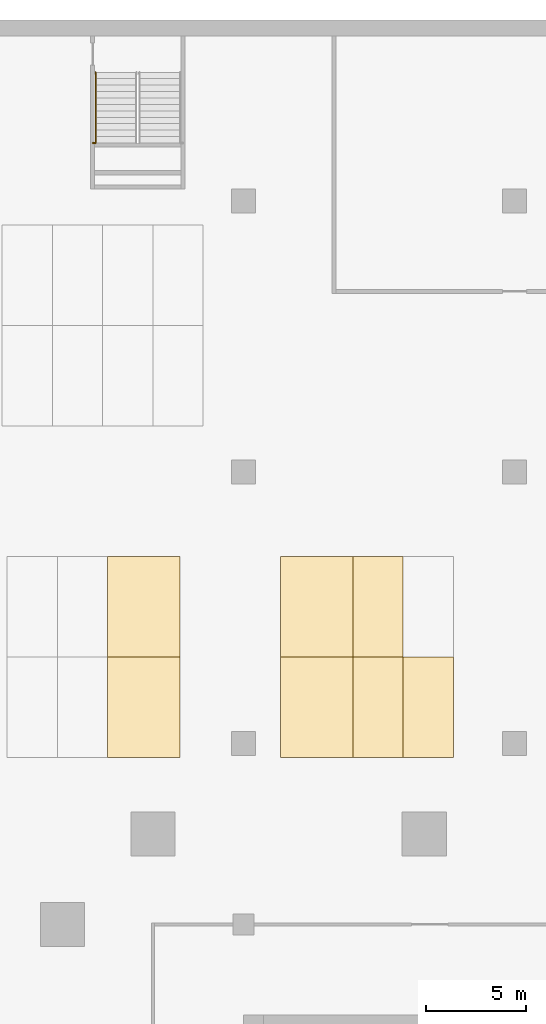
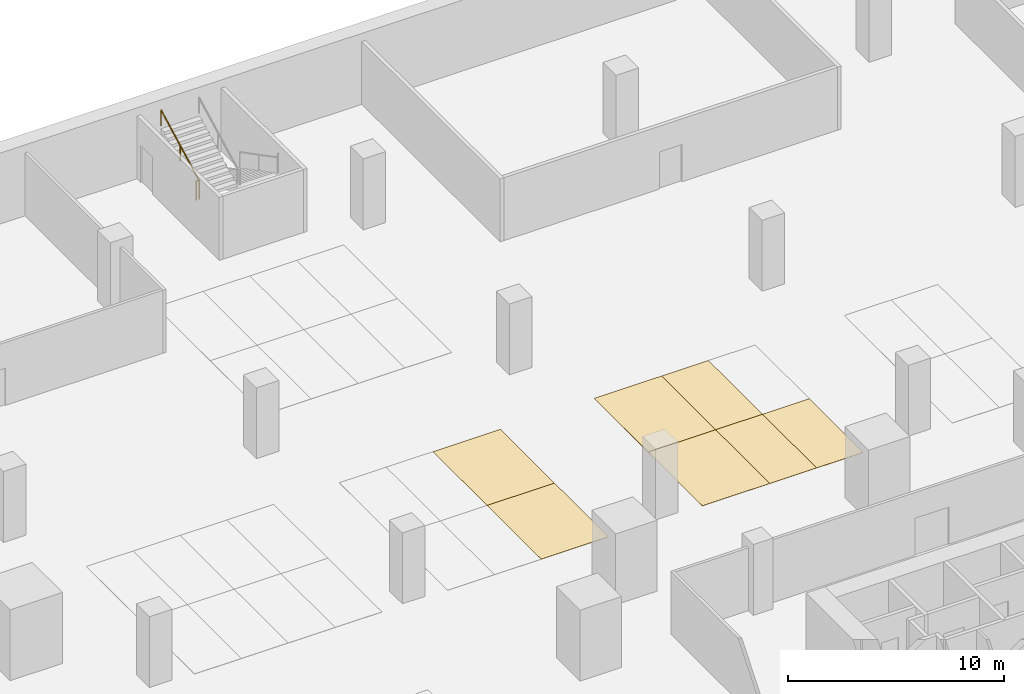
# One storey, part 27 of 31: 7 coverings, 2 railings.
"""IFC4 building model written with IfcOpenShell, lengths in metres."""

from ifc_helpers import new_model, si_unit, direction, frame, origin, origin_2d, place, context, subcontext, project, spatial, polyline, circle, outline, extrude, source, transform, mapped, material, layer, layer_set, type_object, element, save


model = new_model("IFC4")

# Units and contexts
model_context = context("Model", 3, precision=1e-05, world=origin(), true_north=direction((0.0, 1.0)))
body_context = subcontext(model_context, "Body", "Model", "MODEL_VIEW")
ifc_project = project(units=[si_unit("LENGTHUNIT", "METRE"), si_unit("AREAUNIT", "SQUARE_METRE"), si_unit("VOLUMEUNIT", "CUBIC_METRE"), si_unit("PLANEANGLEUNIT", "RADIAN"), si_unit("MASSUNIT", "GRAM", prefix="KILO")], contexts=[model_context])

# Site, building, storey
site_placement = place(None, origin())
site = spatial("IfcSite", under=ifc_project, at=site_placement, CompositionType="ELEMENT")
building_placement = place(site_placement, origin())
building = spatial("IfcBuilding", under=site, at=building_placement, Name="Altepetl Exchange Towers", CompositionType="ELEMENT")
storey_placement = place(building_placement, frame((0.0, 0.0, -4.0)))
storey = spatial("IfcBuildingStorey", under=building, at=storey_placement, Name="B1 Basement services", CompositionType="ELEMENT", Elevation=-4.0)

# Coverings
ifc_material_1 = material(Name="Road marking paint")
ifc_layer_1 = layer(ifc_material_1, 0.010009765625)
ifc_layer_set_1 = layer_set([ifc_layer_1], Name="Road marking paint")
covering_type_1 = type_object("IfcCoveringType", Name="Accessible parking bay marking 3600 x 5000", PredefinedType="FLOORING", material=ifc_layer_set_1)
covering_1_placement = place(storey_placement, origin())
element("IfcCovering", 1, at=covering_1_placement, inside=storey, type_object=covering_type_1, Name="Accessible parking bay B1-094", PredefinedType="FLOORING", context=body_context, shape_type="SweptSolid", body=[
    extrude(outline(polyline([(96.75, 62.300048828125), (100.35009765625, 62.300048828125), (100.35009765625, 67.300048828125), (96.75, 67.300048828125), (96.75, 62.300048828125)])), origin(), (0.0, 0.0, 1.0), 0.010009765625),
])
covering_2_placement = place(storey_placement, origin())
element("IfcCovering", 2, at=covering_2_placement, inside=storey, type_object=covering_type_1, Name="Accessible parking bay B1-095", PredefinedType="FLOORING", context=body_context, shape_type="SweptSolid", body=[
    extrude(outline(polyline([(105.35009765625, 62.300048828125), (108.949951171875, 62.300048828125), (108.949951171875, 67.300048828125), (105.35009765625, 67.300048828125), (105.35009765625, 62.300048828125)])), origin(), (0.0, 0.0, 1.0), 0.010009765625),
])
covering_3_placement = place(storey_placement, origin())
element("IfcCovering", 3, at=covering_3_placement, inside=storey, type_object=covering_type_1, Name="Accessible parking bay B1-106", PredefinedType="FLOORING", context=body_context, shape_type="SweptSolid", body=[
    extrude(outline(polyline([(96.75, 67.300048828125), (100.35009765625, 67.300048828125), (100.35009765625, 72.300048828125), (96.75, 72.300048828125), (96.75, 67.300048828125)])), origin(), (0.0, 0.0, 1.0), 0.010009765625),
])
covering_4_placement = place(storey_placement, origin())
element("IfcCovering", 4, at=covering_4_placement, inside=storey, type_object=covering_type_1, Name="Accessible parking bay B1-107", PredefinedType="FLOORING", context=body_context, shape_type="SweptSolid", body=[
    extrude(outline(polyline([(105.35009765625, 67.300048828125), (108.949951171875, 67.300048828125), (108.949951171875, 72.300048828125), (105.35009765625, 72.300048828125), (105.35009765625, 67.300048828125)])), origin(), (0.0, 0.0, 1.0), 0.010009765625),
])
ifc_layer_2 = layer(ifc_material_1, 0.010009765625)
ifc_layer_set_2 = layer_set([ifc_layer_2], Name="Road marking paint")
covering_type_2 = type_object("IfcCoveringType", Name="Parking bay marking 2500 x 5000", PredefinedType="FLOORING", material=ifc_layer_set_2)
covering_5_placement = place(storey_placement, origin())
element("IfcCovering", 5, at=covering_5_placement, inside=storey, type_object=covering_type_2, Name="Parking bay B1-096", PredefinedType="FLOORING", context=body_context, shape_type="SweptSolid", body=[
    extrude(outline(polyline([(108.949951171875, 62.300048828125), (111.449951171875, 62.300048828125), (111.449951171875, 67.300048828125), (108.949951171875, 67.300048828125), (108.949951171875, 62.300048828125)])), origin(), (0.0, 0.0, 1.0), 0.010009765625),
])
covering_6_placement = place(storey_placement, origin())
element("IfcCovering", 6, at=covering_6_placement, inside=storey, type_object=covering_type_2, Name="Parking bay B1-097", PredefinedType="FLOORING", context=body_context, shape_type="SweptSolid", body=[
    extrude(outline(polyline([(111.449951171875, 62.300048828125), (113.949951171875, 62.300048828125), (113.949951171875, 67.300048828125), (111.449951171875, 67.300048828125), (111.449951171875, 62.300048828125)])), origin(), (0.0, 0.0, 1.0), 0.010009765625),
])
covering_7_placement = place(storey_placement, origin())
element("IfcCovering", 7, at=covering_7_placement, inside=storey, type_object=covering_type_2, Name="Parking bay B1-108", PredefinedType="FLOORING", context=body_context, shape_type="SweptSolid", body=[
    extrude(outline(polyline([(108.949951171875, 67.300048828125), (111.449951171875, 67.300048828125), (111.449951171875, 72.300048828125), (108.949951171875, 72.300048828125), (108.949951171875, 67.300048828125)])), origin(), (0.0, 0.0, 1.0), 0.010009765625),
])

# Railings
ifc_material_2 = material(Name="Laminated glass and steel", Category="steel")
railing_type_1 = type_object("IfcRailingType", Name="Hall gallery guard 1100", PredefinedType="GUARDRAIL", material=ifc_material_2)
shared_shape_1 = source(origin(), body_context, "Body", "SweptSolid", [
    extrude(circle(Radius=0.02001953125, at=origin_2d()), origin(), (0.0, 0.0, 1.0), 1.050048828125),
])
railing_1_placement = place(storey_placement, frame((96.14990234375, 92.8798828125, 2.0)))
element("IfcRailing", 8, at=railing_1_placement, inside=storey, type_object=railing_type_1, Name="rail:P:B1:ES6land1", PredefinedType="GUARDRAIL", context=body_context, shape_type="SweptSolid", body=[
    extrude(circle(Radius=0.02490234375, at=origin_2d()), frame((0.0, 0.0, 1.0751953125), z_axis=(-1.0, 0.0, 0.0), x_axis=(0.0, -1.0, 0.0)), (0.0, 0.0, 1.0), 0.14990234375),
    mapped(shared_shape_1, transform((0.0, 0.0, 0.0))),
    mapped(shared_shape_1, transform((-0.14990234375, 0.0, 0.0))),
])
ifc_material_3 = material(Name="Stainless steel", Category="steel")
railing_type_2 = type_object("IfcRailingType", Name="Stair handrail 900", PredefinedType="HANDRAIL", material=ifc_material_3)
shared_shape_2 = source(origin(), body_context, "Body", "SweptSolid", [
    extrude(circle(Radius=0.02001953125, at=origin_2d()), origin(), (0.0, 0.0, 1.0), 0.849853515625),
])
railing_2_placement = place(storey_placement, frame((96.14990234375, 92.8798828125, 2.166748046875)))
element("IfcRailing", 9, at=railing_2_placement, inside=storey, type_object=railing_type_2, Name="rail:P:B1:ES6:2b", PredefinedType="HANDRAIL", context=body_context, shape_type="SweptSolid", body=[
    extrude(circle(Radius=0.02490234375, at=origin_2d()), frame((0.0, 0.0, 0.875), z_axis=(0.0, 0.886923534906, 0.461916272965), x_axis=(-1.0, 0.0, 0.0)), (0.0, 0.0, 1.0), 3.96875),
    mapped(shared_shape_2, transform((0.0, 0.0, 0.0))),
    mapped(shared_shape_2, transform((0.0, 1.760009765625, 0.91650390625))),
    mapped(shared_shape_2, transform((0.0, 3.52001953125, 1.833251953125))),
])

save(model, "model.ifc")
